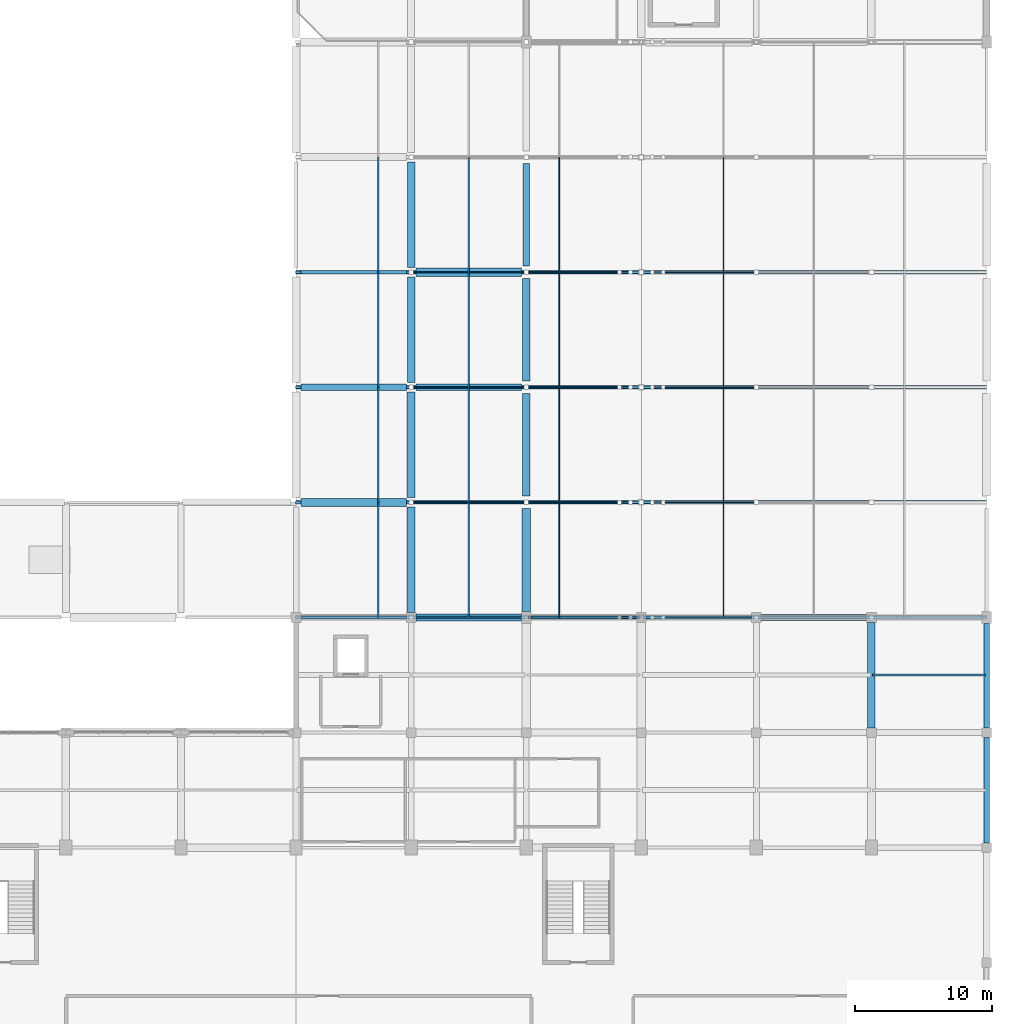
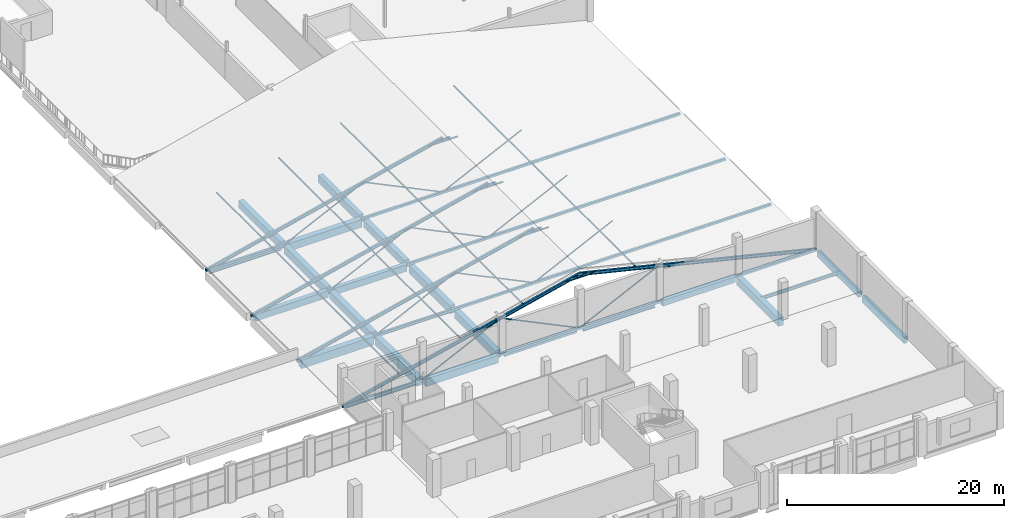
# One storey, part 36 of 64: 45 members, 23 beams.
"""IFC4 building model written with IfcOpenShell, lengths in metres."""

from ifc_helpers import new_model, si_unit, derived_unit, direction, frame, origin, origin_2d, place, context, subcontext, project, spatial, rectangle, hollow_rectangle, hollow_circle, i_section, extrude, material, material_profile, profile_set, type_object, element, save


model = new_model("IFC4")

# Units and contexts
model_context = context("Model", 3, precision=1e-05, world=origin(), true_north=direction((0.0, 1.0)))
body_context = subcontext(model_context, "Body", "Model", "MODEL_VIEW")
ifc_project = project(units=[si_unit("LENGTHUNIT", "METRE"), si_unit("AREAUNIT", "SQUARE_METRE"), si_unit("VOLUMEUNIT", "CUBIC_METRE"), si_unit("PLANEANGLEUNIT", "RADIAN"), si_unit("MASSUNIT", "GRAM", prefix="KILO"), derived_unit("THERMALTRANSMITTANCEUNIT", [(si_unit("POWERUNIT", "WATT"), 1), (si_unit("LENGTHUNIT", "METRE"), -2), (si_unit("THERMODYNAMICTEMPERATUREUNIT", "KELVIN"), -1)])], contexts=[model_context])

# Site, building, storey
site_placement = place(None, origin())
site = spatial("IfcSite", under=ifc_project, at=site_placement, CompositionType="ELEMENT")
building_placement = place(site_placement, origin())
building = spatial("IfcBuilding", under=site, at=building_placement, Name="Barrovel Congress Hotel", CompositionType="ELEMENT")
storey_placement = place(building_placement, frame((0.0, 0.0, 14.10009765625)))
storey = spatial("IfcBuildingStorey", under=building, at=storey_placement, Name="L03", CompositionType="ELEMENT", Elevation=14.10009765625)

# Beams
ifc_material_1 = material(Name="Concrete C40", Category="concrete")
ifc_material_profile_1 = material_profile(ifc_material_1, rectangle(XDim=0.25, YDim=0.5, at=origin_2d()), Name="RC250x500")
ifc_profile_set_1 = profile_set([ifc_material_profile_1], Name="Concrete C40")
beam_type_1 = type_object("IfcBeamType", Name="BM-RC250x500", PredefinedType="SPANDREL", material=ifc_profile_set_1)
beam_1_placement = place(storey_placement, frame((143.14990234375, 37.800048828125, -0.489990234375), z_axis=(1.0, 0.0, 0.0), x_axis=(0.0, 1.0, 0.0)))
element("IfcBeam", 1, at=beam_1_placement, inside=storey, type_object=beam_type_1, Name="BMX:L03:37.8:142.8-151.2", PredefinedType="SPANDREL", context=body_context, shape_type="SweptSolid", body=[
    extrude(rectangle(XDim=0.25, YDim=0.5, at=origin_2d()), origin(), (0.0, 0.0, 1.0), 7.7001953125),
])
ifc_material_profile_2 = material_profile(ifc_material_1, rectangle(XDim=0.39990234375, YDim=0.60009765625, at=origin_2d()), Name="RC400x600")
ifc_profile_set_2 = profile_set([ifc_material_profile_2], Name="Concrete C40")
beam_type_2 = type_object("IfcBeamType", Name="BM-RC400x600", PredefinedType="BEAM", material=ifc_profile_set_2)
beam_2_placement = place(storey_placement, frame((176.39990234375, 29.75, -0.5400390625), z_axis=(0.0, 1.0, 0.0), x_axis=(-1.0, 0.0, 0.0)))
element("IfcBeam", 2, at=beam_2_placement, inside=storey, type_object=beam_type_2, Name="BMY:L03:176.4:29.4-37.8", PredefinedType="BEAM", context=body_context, shape_type="SweptSolid", body=[
    extrude(rectangle(XDim=0.39990234375, YDim=0.60009765625, at=origin_2d()), origin(), (0.0, 0.0, 1.0), 7.60009765625),
])
ifc_material_profile_3 = material_profile(ifc_material_1, rectangle(XDim=0.39990234375, YDim=0.699951171875, at=origin_2d()), Name="RC400x700")
ifc_profile_set_3 = profile_set([ifc_material_profile_3], Name="Concrete C40")
beam_type_3 = type_object("IfcBeamType", Name="BM-RC400x700", PredefinedType="BEAM", material=ifc_profile_set_3)
beam_3_placement = place(storey_placement, frame((176.39990234375, 21.35009765625, -0.590087890625), z_axis=(0.0, 1.0, 0.0), x_axis=(-1.0, 0.0, 0.0)))
element("IfcBeam", 3, at=beam_3_placement, inside=storey, type_object=beam_type_3, Name="BMY:L03:176.4:21.0-29.4", PredefinedType="BEAM", context=body_context, shape_type="SweptSolid", body=[
    extrude(rectangle(XDim=0.39990234375, YDim=0.699951171875, at=origin_2d()), origin(), (0.0, 0.0, 1.0), 7.699951171875),
])
ifc_material_profile_4 = material_profile(ifc_material_1, rectangle(XDim=0.449951171875, YDim=0.64990234375, at=origin_2d()), Name="RC450x650")
ifc_profile_set_4 = profile_set([ifc_material_profile_4], Name="Concrete C40")
beam_type_4 = type_object("IfcBeamType", Name="BM-RC450x650", PredefinedType="BEAM", material=ifc_profile_set_4)
beam_4_placement = place(storey_placement, frame((159.949951171875, 37.800048828125, -0.565185546875), z_axis=(1.0, 0.0, 0.0), x_axis=(0.0, 1.0, 0.0)))
element("IfcBeam", 4, at=beam_4_placement, inside=storey, type_object=beam_type_4, Name="BMX:L03:37.8:159.6-168.0", PredefinedType="BEAM", context=body_context, shape_type="SweptSolid", body=[
    extrude(rectangle(XDim=0.449951171875, YDim=0.64990234375, at=origin_2d()), origin(), (0.0, 0.0, 1.0), 7.699951171875),
])
ifc_material_profile_5 = material_profile(ifc_material_1, rectangle(XDim=0.449951171875, YDim=0.75, at=origin_2d()), Name="RC450x750")
ifc_profile_set_5 = profile_set([ifc_material_profile_5], Name="Concrete C40")
beam_type_5 = type_object("IfcBeamType", Name="BM-RC450x750", PredefinedType="BEAM", material=ifc_profile_set_5)
beam_5_placement = place(storey_placement, frame((134.75, 54.60009765625, -0.614990234375), z_axis=(1.0, 0.0, 0.0), x_axis=(0.0, 1.0, 0.0)))
element("IfcBeam", 5, at=beam_5_placement, inside=storey, type_object=beam_type_5, Name="BMX:L03:54.6:134.4-142.8", PredefinedType="BEAM", context=body_context, shape_type="SweptSolid", body=[
    extrude(rectangle(XDim=0.449951171875, YDim=0.75, at=origin_2d()), origin(), (0.0, 0.0, 1.0), 7.699951171875),
])
ifc_material_profile_6 = material_profile(ifc_material_1, rectangle(XDim=0.5, YDim=0.75, at=origin_2d()), Name="RC500x750")
ifc_profile_set_6 = profile_set([ifc_material_profile_6], Name="Concrete C40")
beam_type_6 = type_object("IfcBeamType", Name="BM-RC500x750", PredefinedType="BEAM", material=ifc_profile_set_6)
beam_6_placement = place(storey_placement, frame((126.35009765625, 54.60009765625, -0.614990234375), z_axis=(1.0, 0.0, 0.0), x_axis=(0.0, 1.0, 0.0)))
element("IfcBeam", 6, at=beam_6_placement, inside=storey, type_object=beam_type_6, Name="BMX:L03:54.6:126.0-134.4", PredefinedType="BEAM", context=body_context, shape_type="SweptSolid", body=[
    extrude(rectangle(XDim=0.5, YDim=0.75, at=origin_2d()), origin(), (0.0, 0.0, 1.0), 7.699951171875),
])
ifc_material_profile_7 = material_profile(ifc_material_1, rectangle(XDim=0.5, YDim=0.85009765625, at=origin_2d()), Name="RC500x850")
ifc_profile_set_7 = profile_set([ifc_material_profile_7], Name="Concrete C40")
beam_type_7 = type_object("IfcBeamType", Name="BM-RC500x850", PredefinedType="BEAM", material=ifc_profile_set_7)
beam_7_placement = place(storey_placement, frame((134.75, 37.800048828125, -0.6650390625), z_axis=(1.0, 0.0, 0.0), x_axis=(0.0, 1.0, 0.0)))
element("IfcBeam", 7, at=beam_7_placement, inside=storey, type_object=beam_type_7, Name="BMX:L03:37.8:134.4-142.8", PredefinedType="BEAM", context=body_context, shape_type="SweptSolid", body=[
    extrude(rectangle(XDim=0.5, YDim=0.85009765625, at=origin_2d()), origin(), (0.0, 0.0, 1.0), 7.699951171875),
])
beam_8_placement = place(storey_placement, frame((142.800048828125, 63.449951171875, -0.6650390625), z_axis=(0.0, 1.0, 0.0), x_axis=(-1.0, 0.0, 0.0)))
element("IfcBeam", 8, at=beam_8_placement, inside=storey, type_object=beam_type_7, Name="BMY:L03:142.8:63.0-71.4", PredefinedType="BEAM", context=body_context, shape_type="SweptSolid", body=[
    extrude(rectangle(XDim=0.5, YDim=0.85009765625, at=origin_2d()), origin(), (0.0, 0.0, 1.0), 7.5),
])
ifc_material_profile_8 = material_profile(ifc_material_1, rectangle(XDim=0.550048828125, YDim=0.800048828125, at=origin_2d()), Name="RC550x800")
ifc_profile_set_8 = profile_set([ifc_material_profile_8], Name="Concrete C40")
beam_type_8 = type_object("IfcBeamType", Name="BM-RC550x800", PredefinedType="BEAM", material=ifc_profile_set_8)
beam_9_placement = place(storey_placement, frame((134.39990234375, 63.35009765625, -0.64013671875), z_axis=(0.0, 1.0, 0.0), x_axis=(-1.0, 0.0, 0.0)))
element("IfcBeam", 9, at=beam_9_placement, inside=storey, type_object=beam_type_8, Name="BMY:L03:134.4:63.0-71.4", PredefinedType="BEAM", context=body_context, shape_type="SweptSolid", body=[
    extrude(rectangle(XDim=0.550048828125, YDim=0.800048828125, at=origin_2d()), origin(), (0.0, 0.0, 1.0), 7.699951171875),
])
beam_10_placement = place(storey_placement, frame((142.800048828125, 55.050048828125, -0.64013671875), z_axis=(0.0, 1.0, 0.0), x_axis=(-1.0, 0.0, 0.0)))
element("IfcBeam", 10, at=beam_10_placement, inside=storey, type_object=beam_type_8, Name="BMY:L03:142.8:54.6-63.0", PredefinedType="BEAM", context=body_context, shape_type="SweptSolid", body=[
    extrude(rectangle(XDim=0.550048828125, YDim=0.800048828125, at=origin_2d()), origin(), (0.0, 0.0, 1.0), 7.5),
])
ifc_material_profile_9 = material_profile(ifc_material_1, rectangle(XDim=0.550048828125, YDim=0.89990234375, at=origin_2d()), Name="RC550x900")
ifc_profile_set_9 = profile_set([ifc_material_profile_9], Name="Concrete C40")
beam_type_9 = type_object("IfcBeamType", Name="BM-RC550x900", PredefinedType="BEAM", material=ifc_profile_set_9)
beam_11_placement = place(storey_placement, frame((134.39990234375, 54.949951171875, -0.690185546875), z_axis=(0.0, 1.0, 0.0), x_axis=(-1.0, 0.0, 0.0)))
element("IfcBeam", 11, at=beam_11_placement, inside=storey, type_object=beam_type_9, Name="BMY:L03:134.4:54.6-63.0", PredefinedType="BEAM", context=body_context, shape_type="SweptSolid", body=[
    extrude(rectangle(XDim=0.550048828125, YDim=0.89990234375, at=origin_2d()), origin(), (0.0, 0.0, 1.0), 7.699951171875),
])
beam_12_placement = place(storey_placement, frame((142.800048828125, 46.64990234375, -0.690185546875), z_axis=(0.0, 1.0, 0.0), x_axis=(-1.0, 0.0, 0.0)))
element("IfcBeam", 12, at=beam_12_placement, inside=storey, type_object=beam_type_9, Name="BMY:L03:142.8:46.2-54.6", PredefinedType="BEAM", context=body_context, shape_type="SweptSolid", body=[
    extrude(rectangle(XDim=0.550048828125, YDim=0.89990234375, at=origin_2d()), origin(), (0.0, 0.0, 1.0), 7.5),
])
beam_13_placement = place(storey_placement, frame((168.0, 29.75, -0.690185546875), z_axis=(0.0, 1.0, 0.0), x_axis=(-1.0, 0.0, 0.0)))
element("IfcBeam", 13, at=beam_13_placement, inside=storey, type_object=beam_type_9, Name="BMY:L03:168.0:29.4-37.8", PredefinedType="BEAM", context=body_context, shape_type="SweptSolid", body=[
    extrude(rectangle(XDim=0.550048828125, YDim=0.89990234375, at=origin_2d()), origin(), (0.0, 0.0, 1.0), 7.699951171875),
])
ifc_material_profile_10 = material_profile(ifc_material_1, rectangle(XDim=0.60009765625, YDim=0.85009765625, at=origin_2d()), Name="RC600x850")
ifc_profile_set_10 = profile_set([ifc_material_profile_10], Name="Concrete C40")
beam_type_10 = type_object("IfcBeamType", Name="BM-RC600x850", PredefinedType="BEAM", material=ifc_profile_set_10)
for number, where, z_axis, x_axis, name in (
    (14, (134.75, 63.0, -0.6650390625), (1.0, 0.0, 0.0), (0.0, 1.0, 0.0), "BMX:L03:63.0:134.4-142.8"),
    (15, (134.39990234375, 46.550048828125, -0.6650390625), (0.0, 1.0, 0.0), (-1.0, 0.0, 0.0), "BMY:L03:134.4:46.2-54.6"),
):
    element("IfcBeam", number, at=place(storey_placement, frame(where, z_axis=z_axis, x_axis=x_axis)), inside=storey, type_object=beam_type_10, Name=name, PredefinedType="BEAM", context=body_context, shape_type="SweptSolid", body=[
        extrude(rectangle(XDim=0.60009765625, YDim=0.85009765625, at=origin_2d()), origin(), (0.0, 0.0, 1.0), 7.699951171875),
    ])
beam_14_placement = place(storey_placement, frame((142.800048828125, 38.25, -0.6650390625), z_axis=(0.0, 1.0, 0.0), x_axis=(-1.0, 0.0, 0.0)))
element("IfcBeam", 16, at=beam_14_placement, inside=storey, type_object=beam_type_10, Name="BMY:L03:142.8:37.8-46.2", PredefinedType="BEAM", context=body_context, shape_type="SweptSolid", body=[
    extrude(rectangle(XDim=0.60009765625, YDim=0.85009765625, at=origin_2d()), origin(), (0.0, 0.0, 1.0), 7.5),
])
ifc_material_profile_11 = material_profile(ifc_material_1, rectangle(XDim=0.60009765625, YDim=0.949951171875, at=origin_2d()), Name="RC600x950")
ifc_profile_set_11 = profile_set([ifc_material_profile_11], Name="Concrete C40")
beam_type_11 = type_object("IfcBeamType", Name="BM-RC600x950", PredefinedType="BEAM", material=ifc_profile_set_11)
beam_15_placement = place(storey_placement, frame((126.35009765625, 46.199951171875, -0.715087890625), z_axis=(1.0, 0.0, 0.0), x_axis=(0.0, 1.0, 0.0)))
element("IfcBeam", 17, at=beam_15_placement, inside=storey, type_object=beam_type_11, Name="BMX:L03:46.2:126.0-134.4", PredefinedType="BEAM", context=body_context, shape_type="SweptSolid", body=[
    extrude(rectangle(XDim=0.60009765625, YDim=0.949951171875, at=origin_2d()), origin(), (0.0, 0.0, 1.0), 7.699951171875),
])
beam_16_placement = place(storey_placement, frame((134.39990234375, 38.14990234375, -0.715087890625), z_axis=(0.0, 1.0, 0.0), x_axis=(-1.0, 0.0, 0.0)))
element("IfcBeam", 18, at=beam_16_placement, inside=storey, type_object=beam_type_11, Name="BMY:L03:134.4:37.8-46.2", PredefinedType="BEAM", context=body_context, shape_type="SweptSolid", body=[
    extrude(rectangle(XDim=0.60009765625, YDim=0.949951171875, at=origin_2d()), origin(), (0.0, 0.0, 1.0), 7.7001953125),
])

# Members
ifc_material_2 = material(Name="Steel ASTM A500 Grade C", Category="steel")
ifc_material_profile_12 = material_profile(ifc_material_2, hollow_circle(Radius=0.070556640625, WallThickness=0.006591796875, at=origin_2d()), Name="CHS141.3x7.1")
ifc_profile_set_12 = profile_set([ifc_material_profile_12], Name="Steel ASTM A500 Grade C")
member_type_1 = type_object("IfcMemberType", Name="MEM-CHS141.3x7.1", PredefinedType="BRACE", material=ifc_profile_set_12)
member_1_placement = place(storey_placement, frame((134.39990234375, 37.800048828125, -0.380126953125), z_axis=(0.900544215842, 0.0, 0.434764436578), x_axis=(0.0, 1.0, 0.0)))
element("IfcMember", 19, at=member_1_placement, inside=storey, type_object=member_type_1, Name="V2-TR-DG:1:134.4-142.8", PredefinedType="BRACE", context=body_context, shape_type="SweptSolid", body=[
    extrude(hollow_circle(Radius=0.070556640625, WallThickness=0.006591796875, at=origin_2d()), origin(), (0.0, 0.0, 1.0), 9.327880859375),
])
member_2_placement = place(storey_placement, frame((151.199951171875, 37.800048828125, -0.380126953125), z_axis=(-0.90053926839, 0.0, 0.434774684277), x_axis=(0.0, -1.0, 0.0)))
element("IfcMember", 20, at=member_2_placement, inside=storey, type_object=member_type_1, Name="V2-TR-DG:1:151.2-142.8", PredefinedType="BRACE", context=body_context, shape_type="SweptSolid", body=[
    extrude(hollow_circle(Radius=0.070556640625, WallThickness=0.006591796875, at=origin_2d()), origin(), (0.0, 0.0, 1.0), 9.32763671875),
])
for number, where, z_axis, x_axis, name in (
    (21, (151.199951171875, 37.800048828125, -0.380126953125), (0.900544215842, 0.0, 0.434764436578), (0.0, 1.0, 0.0), "V2-TR-DG:1:151.2-159.6"),
    (22, (134.39990234375, 46.199951171875, -0.380126953125), (0.900544215842, 0.0, 0.434764436578), (0.0, 1.0, 0.0), "V2-TR-DG:2:134.4-142.8"),
):
    element("IfcMember", number, at=place(storey_placement, frame(where, z_axis=z_axis, x_axis=x_axis)), inside=storey, type_object=member_type_1, Name=name, PredefinedType="BRACE", context=body_context, shape_type="SweptSolid", body=[
        extrude(hollow_circle(Radius=0.070556640625, WallThickness=0.006591796875, at=origin_2d()), origin(), (0.0, 0.0, 1.0), 9.327880859375),
    ])
member_3_placement = place(storey_placement, frame((151.199951171875, 46.199951171875, -0.380126953125), z_axis=(-0.90053926839, 0.0, 0.434774684277), x_axis=(0.0, -1.0, 0.0)))
element("IfcMember", 23, at=member_3_placement, inside=storey, type_object=member_type_1, Name="V2-TR-DG:2:151.2-142.8", PredefinedType="BRACE", context=body_context, shape_type="SweptSolid", body=[
    extrude(hollow_circle(Radius=0.070556640625, WallThickness=0.006591796875, at=origin_2d()), origin(), (0.0, 0.0, 1.0), 9.32763671875),
])
for number, where, z_axis, x_axis, name in (
    (24, (151.199951171875, 46.199951171875, -0.380126953125), (0.900544215842, 0.0, 0.434764436578), (0.0, 1.0, 0.0), "V2-TR-DG:2:151.2-159.6"),
    (25, (134.39990234375, 54.60009765625, -0.380126953125), (0.900544215842, 0.0, 0.434764436578), (0.0, 1.0, 0.0), "V2-TR-DG:3:134.4-142.8"),
):
    element("IfcMember", number, at=place(storey_placement, frame(where, z_axis=z_axis, x_axis=x_axis)), inside=storey, type_object=member_type_1, Name=name, PredefinedType="BRACE", context=body_context, shape_type="SweptSolid", body=[
        extrude(hollow_circle(Radius=0.070556640625, WallThickness=0.006591796875, at=origin_2d()), origin(), (0.0, 0.0, 1.0), 9.327880859375),
    ])
member_4_placement = place(storey_placement, frame((151.199951171875, 54.60009765625, -0.380126953125), z_axis=(-0.90053926839, 0.0, 0.434774684277), x_axis=(0.0, -1.0, 0.0)))
element("IfcMember", 26, at=member_4_placement, inside=storey, type_object=member_type_1, Name="V2-TR-DG:3:151.2-142.8", PredefinedType="BRACE", context=body_context, shape_type="SweptSolid", body=[
    extrude(hollow_circle(Radius=0.070556640625, WallThickness=0.006591796875, at=origin_2d()), origin(), (0.0, 0.0, 1.0), 9.32763671875),
])
for number, where, z_axis, x_axis, name in (
    (27, (151.199951171875, 54.60009765625, -0.380126953125), (0.900544215842, 0.0, 0.434764436578), (0.0, 1.0, 0.0), "V2-TR-DG:3:151.2-159.6"),
    (28, (134.39990234375, 63.0, -0.380126953125), (0.900544215842, 0.0, 0.434764436578), (0.0, 1.0, 0.0), "V2-TR-DG:4:134.4-142.8"),
):
    element("IfcMember", number, at=place(storey_placement, frame(where, z_axis=z_axis, x_axis=x_axis)), inside=storey, type_object=member_type_1, Name=name, PredefinedType="BRACE", context=body_context, shape_type="SweptSolid", body=[
        extrude(hollow_circle(Radius=0.070556640625, WallThickness=0.006591796875, at=origin_2d()), origin(), (0.0, 0.0, 1.0), 9.327880859375),
    ])
member_5_placement = place(storey_placement, frame((151.199951171875, 63.0, -0.380126953125), z_axis=(-0.90053926839, 0.0, 0.434774684277), x_axis=(0.0, -1.0, 0.0)))
element("IfcMember", 29, at=member_5_placement, inside=storey, type_object=member_type_1, Name="V2-TR-DG:4:151.2-142.8", PredefinedType="BRACE", context=body_context, shape_type="SweptSolid", body=[
    extrude(hollow_circle(Radius=0.070556640625, WallThickness=0.006591796875, at=origin_2d()), origin(), (0.0, 0.0, 1.0), 9.32763671875),
])
member_6_placement = place(storey_placement, frame((151.199951171875, 63.0, -0.380126953125), z_axis=(0.900544215842, 0.0, 0.434764436578), x_axis=(0.0, 1.0, 0.0)))
element("IfcMember", 30, at=member_6_placement, inside=storey, type_object=member_type_1, Name="V2-TR-DG:4:151.2-159.6", PredefinedType="BRACE", context=body_context, shape_type="SweptSolid", body=[
    extrude(hollow_circle(Radius=0.070556640625, WallThickness=0.006591796875, at=origin_2d()), origin(), (0.0, 0.0, 1.0), 9.327880859375),
])
ifc_material_profile_13 = material_profile(ifc_material_2, hollow_rectangle(XDim=0.126953125, YDim=0.126953125, WallThickness=0.005859375, InnerFilletRadius=0.005859375, OuterFilletRadius=0.01171875, at=origin_2d()), Name="HSS127x127x6.4")
ifc_profile_set_13 = profile_set([ifc_material_profile_13], Name="Steel ASTM A500 Grade C")
member_type_2 = type_object("IfcMemberType", Name="MEM-HSS127x127x6.4", PredefinedType="STRUT", material=ifc_profile_set_13)
for number, where, z_axis, x_axis, name in (
    (31, (149.60009765625, 37.800048828125, 5.31689453125), (1.0, 0.0, 0.0), (0.0, 1.0, 0.0), "V2-TR-STRUT:1"),
    (32, (149.60009765625, 46.199951171875, 5.31689453125), (1.0, 0.0, 0.0), (0.0, 1.0, 0.0), "V2-TR-STRUT:2"),
    (33, (149.60009765625, 54.60009765625, 5.31689453125), (1.0, 0.0, 0.0), (0.0, 1.0, 0.0), "V2-TR-STRUT:3"),
    (34, (149.60009765625, 63.0, 5.31689453125), (1.0, 0.0, 0.0), (0.0, 1.0, 0.0), "V2-TR-STRUT:4"),
):
    element("IfcMember", number, at=place(storey_placement, frame(where, z_axis=z_axis, x_axis=x_axis)), inside=storey, type_object=member_type_2, Name=name, PredefinedType="STRUT", context=body_context, shape_type="SweptSolid", body=[
        extrude(hollow_rectangle(XDim=0.126953125, YDim=0.126953125, WallThickness=0.005859375, InnerFilletRadius=0.005859375, OuterFilletRadius=0.01171875, at=origin_2d()), origin(), (0.0, 0.0, 1.0), 3.199951171875),
    ])
ifc_material_profile_14 = material_profile(ifc_material_2, hollow_rectangle(XDim=0.1015625, YDim=0.15234375, WallThickness=0.005859375, InnerFilletRadius=0.005859375, OuterFilletRadius=0.01171875, at=origin_2d()), Name="HSS152x102x6.4")
ifc_profile_set_14 = profile_set([ifc_material_profile_14], Name="Steel ASTM A500 Grade C")
member_type_3 = type_object("IfcMemberType", Name="MEM-HSS152x102x6.4", PredefinedType="PURLIN", material=ifc_profile_set_14)
member_7_placement = place(storey_placement, frame((132.0, 37.800048828125, 1.208251953125), z_axis=(0.0, 1.0, 0.0), x_axis=(-1.0, 0.0, 0.0)))
element("IfcMember", 35, at=member_7_placement, inside=storey, type_object=member_type_3, Name="V2-PUR:132.0:37.8", PredefinedType="PURLIN", context=body_context, shape_type="SweptSolid", body=[
    extrude(hollow_rectangle(XDim=0.1015625, YDim=0.15234375, WallThickness=0.005859375, InnerFilletRadius=0.005859375, OuterFilletRadius=0.01171875, at=origin_2d()), origin(), (0.0, 0.0, 1.0), 8.39990234375),
])
member_8_placement = place(storey_placement, frame((132.0, 46.199951171875, 1.208251953125), z_axis=(0.0, 1.0, 0.0), x_axis=(-1.0, 0.0, 0.0)))
element("IfcMember", 36, at=member_8_placement, inside=storey, type_object=member_type_3, Name="V2-PUR:132.0:46.2", PredefinedType="PURLIN", context=body_context, shape_type="SweptSolid", body=[
    extrude(hollow_rectangle(XDim=0.1015625, YDim=0.15234375, WallThickness=0.005859375, InnerFilletRadius=0.005859375, OuterFilletRadius=0.01171875, at=origin_2d()), origin(), (0.0, 0.0, 1.0), 8.400146484375),
])
for number, where, z_axis, x_axis, name in (
    (37, (132.0, 54.60009765625, 1.208251953125), (0.0, 1.0, 0.0), (-1.0, 0.0, 0.0), "V2-PUR:132.0:54.6"),
    (38, (132.0, 63.0, 1.208251953125), (0.0, 1.0, 0.0), (-1.0, 0.0, 0.0), "V2-PUR:132.0:63.0"),
    (39, (138.60009765625, 37.800048828125, 2.801513671875), (0.0, 1.0, 0.0), (-1.0, 0.0, 0.0), "V2-PUR:138.6:37.8"),
):
    element("IfcMember", number, at=place(storey_placement, frame(where, z_axis=z_axis, x_axis=x_axis)), inside=storey, type_object=member_type_3, Name=name, PredefinedType="PURLIN", context=body_context, shape_type="SweptSolid", body=[
        extrude(hollow_rectangle(XDim=0.1015625, YDim=0.15234375, WallThickness=0.005859375, InnerFilletRadius=0.005859375, OuterFilletRadius=0.01171875, at=origin_2d()), origin(), (0.0, 0.0, 1.0), 8.39990234375),
    ])
member_9_placement = place(storey_placement, frame((138.60009765625, 46.199951171875, 2.801513671875), z_axis=(0.0, 1.0, 0.0), x_axis=(-1.0, 0.0, 0.0)))
element("IfcMember", 40, at=member_9_placement, inside=storey, type_object=member_type_3, Name="V2-PUR:138.6:46.2", PredefinedType="PURLIN", context=body_context, shape_type="SweptSolid", body=[
    extrude(hollow_rectangle(XDim=0.1015625, YDim=0.15234375, WallThickness=0.005859375, InnerFilletRadius=0.005859375, OuterFilletRadius=0.01171875, at=origin_2d()), origin(), (0.0, 0.0, 1.0), 8.400146484375),
])
for number, where, z_axis, x_axis, name in (
    (41, (138.60009765625, 54.60009765625, 2.801513671875), (0.0, 1.0, 0.0), (-1.0, 0.0, 0.0), "V2-PUR:138.6:54.6"),
    (42, (138.60009765625, 63.0, 2.801513671875), (0.0, 1.0, 0.0), (-1.0, 0.0, 0.0), "V2-PUR:138.6:63.0"),
    (43, (145.199951171875, 37.800048828125, 4.39453125), (0.0, 1.0, 0.0), (-1.0, 0.0, 0.0), "V2-PUR:145.2:37.8"),
):
    element("IfcMember", number, at=place(storey_placement, frame(where, z_axis=z_axis, x_axis=x_axis)), inside=storey, type_object=member_type_3, Name=name, PredefinedType="PURLIN", context=body_context, shape_type="SweptSolid", body=[
        extrude(hollow_rectangle(XDim=0.1015625, YDim=0.15234375, WallThickness=0.005859375, InnerFilletRadius=0.005859375, OuterFilletRadius=0.01171875, at=origin_2d()), origin(), (0.0, 0.0, 1.0), 8.39990234375),
    ])
member_10_placement = place(storey_placement, frame((145.199951171875, 46.199951171875, 4.39453125), z_axis=(0.0, 1.0, 0.0), x_axis=(-1.0, 0.0, 0.0)))
element("IfcMember", 44, at=member_10_placement, inside=storey, type_object=member_type_3, Name="V2-PUR:145.2:46.2", PredefinedType="PURLIN", context=body_context, shape_type="SweptSolid", body=[
    extrude(hollow_rectangle(XDim=0.1015625, YDim=0.15234375, WallThickness=0.005859375, InnerFilletRadius=0.005859375, OuterFilletRadius=0.01171875, at=origin_2d()), origin(), (0.0, 0.0, 1.0), 8.400146484375),
])
for number, where, z_axis, x_axis, name in (
    (45, (145.199951171875, 54.60009765625, 4.39453125), (0.0, 1.0, 0.0), (-1.0, 0.0, 0.0), "V2-PUR:145.2:54.6"),
    (46, (145.199951171875, 63.0, 4.39453125), (0.0, 1.0, 0.0), (-1.0, 0.0, 0.0), "V2-PUR:145.2:63.0"),
    (47, (157.199951171875, 37.800048828125, 4.39453125), (0.0, 1.0, 0.0), (-1.0, 0.0, 0.0), "V2-PUR:157.2:37.8"),
):
    element("IfcMember", number, at=place(storey_placement, frame(where, z_axis=z_axis, x_axis=x_axis)), inside=storey, type_object=member_type_3, Name=name, PredefinedType="PURLIN", context=body_context, shape_type="SweptSolid", body=[
        extrude(hollow_rectangle(XDim=0.1015625, YDim=0.15234375, WallThickness=0.005859375, InnerFilletRadius=0.005859375, OuterFilletRadius=0.01171875, at=origin_2d()), origin(), (0.0, 0.0, 1.0), 8.39990234375),
    ])
member_11_placement = place(storey_placement, frame((157.199951171875, 46.199951171875, 4.39453125), z_axis=(0.0, 1.0, 0.0), x_axis=(-1.0, 0.0, 0.0)))
element("IfcMember", 48, at=member_11_placement, inside=storey, type_object=member_type_3, Name="V2-PUR:157.2:46.2", PredefinedType="PURLIN", context=body_context, shape_type="SweptSolid", body=[
    extrude(hollow_rectangle(XDim=0.1015625, YDim=0.15234375, WallThickness=0.005859375, InnerFilletRadius=0.005859375, OuterFilletRadius=0.01171875, at=origin_2d()), origin(), (0.0, 0.0, 1.0), 8.400146484375),
])
for number, where, z_axis, x_axis, name in (
    (49, (157.199951171875, 54.60009765625, 4.39453125), (0.0, 1.0, 0.0), (-1.0, 0.0, 0.0), "V2-PUR:157.2:54.6"),
    (50, (157.199951171875, 63.0, 4.39453125), (0.0, 1.0, 0.0), (-1.0, 0.0, 0.0), "V2-PUR:157.2:63.0"),
):
    element("IfcMember", number, at=place(storey_placement, frame(where, z_axis=z_axis, x_axis=x_axis)), inside=storey, type_object=member_type_3, Name=name, PredefinedType="PURLIN", context=body_context, shape_type="SweptSolid", body=[
        extrude(hollow_rectangle(XDim=0.1015625, YDim=0.15234375, WallThickness=0.005859375, InnerFilletRadius=0.005859375, OuterFilletRadius=0.01171875, at=origin_2d()), origin(), (0.0, 0.0, 1.0), 8.39990234375),
    ])
ifc_material_profile_15 = material_profile(ifc_material_2, hollow_rectangle(XDim=0.203125, YDim=0.203125, WallThickness=0.0087890625, InnerFilletRadius=0.0087890625, OuterFilletRadius=0.017578125, at=origin_2d()), Name="HSS203x203x9.5")
ifc_profile_set_15 = profile_set([ifc_material_profile_15], Name="Steel ASTM A500 Grade C")
member_type_4 = type_object("IfcMemberType", Name="MEM-HSS203x203x9.5", PredefinedType="POST", material=ifc_profile_set_15)
for number, where, z_axis, x_axis, name in (
    (51, (150.39990234375, 37.800048828125, 5.510009765625), (1.0, 0.0, 0.0), (0.0, 1.0, 0.0), "V2-TR-POST:1"),
    (52, (150.39990234375, 46.199951171875, 5.510009765625), (1.0, 0.0, 0.0), (0.0, 1.0, 0.0), "V2-TR-POST:2"),
    (53, (150.39990234375, 54.60009765625, 5.510009765625), (1.0, 0.0, 0.0), (0.0, 1.0, 0.0), "V2-TR-POST:3"),
    (54, (150.39990234375, 63.0, 5.510009765625), (1.0, 0.0, 0.0), (0.0, 1.0, 0.0), "V2-TR-POST:4"),
):
    element("IfcMember", number, at=place(storey_placement, frame(where, z_axis=z_axis, x_axis=x_axis)), inside=storey, type_object=member_type_4, Name=name, PredefinedType="POST", context=body_context, shape_type="SweptSolid", body=[
        extrude(hollow_rectangle(XDim=0.203125, YDim=0.203125, WallThickness=0.0087890625, InnerFilletRadius=0.0087890625, OuterFilletRadius=0.017578125, at=origin_2d()), origin(), (0.0, 0.0, 1.0), 1.60009765625),
    ])
ifc_material_profile_16 = material_profile(ifc_material_2, hollow_rectangle(XDim=0.25390625, YDim=0.25390625, WallThickness=0.0087890625, InnerFilletRadius=0.0087890625, OuterFilletRadius=0.017578125, at=origin_2d()), Name="HSS254x254x9.5")
ifc_profile_set_16 = profile_set([ifc_material_profile_16], Name="Steel ASTM A500 Grade C")
member_type_5 = type_object("IfcMemberType", Name="MEM-HSS254x254x9.5", PredefinedType="CHORD", material=ifc_profile_set_16)
for number, where, z_axis, x_axis, name in (
    (55, (126.0, 37.800048828125, -0.380126953125), (1.0, 0.0, 0.0), (0.0, 1.0, 0.0), "Ballroom Roof Truss Bottom Chord 1"),
    (56, (126.0, 46.199951171875, -0.380126953125), (1.0, 0.0, 0.0), (0.0, 1.0, 0.0), "Ballroom Roof Truss Bottom Chord 2"),
    (57, (126.0, 54.60009765625, -0.380126953125), (1.0, 0.0, 0.0), (0.0, 1.0, 0.0), "Ballroom Roof Truss Bottom Chord 3"),
    (58, (126.0, 63.0, -0.380126953125), (1.0, 0.0, 0.0), (0.0, 1.0, 0.0), "Ballroom Roof Truss Bottom Chord 4"),
):
    element("IfcMember", number, at=place(storey_placement, frame(where, z_axis=z_axis, x_axis=x_axis)), inside=storey, type_object=member_type_5, Name=name, PredefinedType="CHORD", context=body_context, shape_type="SweptSolid", body=[
        extrude(hollow_rectangle(XDim=0.25390625, YDim=0.25390625, WallThickness=0.0087890625, InnerFilletRadius=0.0087890625, OuterFilletRadius=0.017578125, at=origin_2d()), origin(), (0.0, 0.0, 1.0), 50.39990234375),
    ])
ifc_material_3 = material(Name="Steel ASTM A992 Grade 50", Category="steel")
ifc_material_profile_17 = material_profile(ifc_material_3, i_section(OverallWidth=0.205078125, OverallDepth=0.35400390625, WebThickness=0.009521484375, FlangeThickness=0.016845703125, FilletRadius=0.012939453125, at=origin_2d()), Name="W360x79")
ifc_profile_set_17 = profile_set([ifc_material_profile_17], Name="Steel ASTM A992 Grade 50")
member_type_6 = type_object("IfcMemberType", Name="MEM-W360x79", PredefinedType="RAFTER", material=ifc_profile_set_17)
for number, where, z_axis, x_axis, name in (
    (59, (126.0, 37.800048828125, -0.380126953125), (0.972079912314, 0.0, 0.234650045972), (0.0, 1.0, 0.0), "Ballroom Roof Truss Rafter W 1"),
    (60, (151.199951171875, 37.800048828125, 5.702880859375), (0.972079912314, 0.0, -0.234650045972), (0.0, 1.0, 0.0), "Ballroom Roof Truss Rafter E 1"),
    (61, (126.0, 46.199951171875, -0.380126953125), (0.972079912314, 0.0, 0.234650045972), (0.0, 1.0, 0.0), "Ballroom Roof Truss Rafter W 2"),
    (62, (126.0, 54.60009765625, -0.380126953125), (0.972079912314, 0.0, 0.234650045972), (0.0, 1.0, 0.0), "Ballroom Roof Truss Rafter W 3"),
    (63, (126.0, 63.0, -0.380126953125), (0.972079912314, 0.0, 0.234650045972), (0.0, 1.0, 0.0), "Ballroom Roof Truss Rafter W 4"),
):
    element("IfcMember", number, at=place(storey_placement, frame(where, z_axis=z_axis, x_axis=x_axis)), inside=storey, type_object=member_type_6, Name=name, PredefinedType="RAFTER", context=body_context, shape_type="SweptSolid", body=[
        extrude(i_section(OverallWidth=0.205078125, OverallDepth=0.35400390625, WebThickness=0.009521484375, FlangeThickness=0.016845703125, FilletRadius=0.012939453125, at=origin_2d()), origin(), (0.0, 0.0, 1.0), 25.923828125),
    ])

# Beams
ifc_material_profile_18 = material_profile(ifc_material_3, i_section(OverallWidth=0.1708984375, OverallDepth=0.35205078125, WebThickness=0.0068359375, FlangeThickness=0.009765625, FilletRadius=0.011962890625, at=origin_2d()), Name="W360x44")
ifc_profile_set_18 = profile_set([ifc_material_profile_18], Name="Steel ASTM A992 Grade 50")
beam_type_12 = type_object("IfcBeamType", Name="SBM-W360x44", PredefinedType="JOIST", material=ifc_profile_set_18)
beam_17_placement = place(storey_placement, frame((168.080078125, 33.60009765625, -0.416015625), z_axis=(1.0, 0.0, 0.0), x_axis=(0.0, 1.0, 0.0)))
element("IfcBeam", 64, at=beam_17_placement, inside=storey, type_object=beam_type_12, Name="JST:L03:168.0:33.6", PredefinedType="JOIST", context=body_context, shape_type="SweptSolid", body=[
    extrude(i_section(OverallWidth=0.1708984375, OverallDepth=0.35205078125, WebThickness=0.0068359375, FlangeThickness=0.009765625, FilletRadius=0.011962890625, at=origin_2d()), origin(), (0.0, 0.0, 1.0), 8.239990234375),
])
ifc_material_profile_19 = material_profile(ifc_material_3, i_section(OverallWidth=0.205078125, OverallDepth=0.35400390625, WebThickness=0.009521484375, FlangeThickness=0.016845703125, FilletRadius=0.012939453125, at=origin_2d()), Name="W360x79")
ifc_profile_set_19 = profile_set([ifc_material_profile_19], Name="Steel ASTM A992 Grade 50")
beam_type_13 = type_object("IfcBeamType", Name="SBM-W360x79", PredefinedType="BEAM", material=ifc_profile_set_19)
beam_18_placement = place(storey_placement, frame((134.75, 46.199951171875, -0.4169921875), z_axis=(1.0, 0.0, 0.0), x_axis=(0.0, 1.0, 0.0)))
element("IfcBeam", 65, at=beam_18_placement, inside=storey, type_object=beam_type_13, Name="BMX:L03:46.2:134.4-142.8", PredefinedType="BEAM", context=body_context, shape_type="SweptSolid", body=[
    extrude(i_section(OverallWidth=0.205078125, OverallDepth=0.35400390625, WebThickness=0.009521484375, FlangeThickness=0.016845703125, FilletRadius=0.012939453125, at=origin_2d()), origin(), (0.0, 0.0, 1.0), 7.699951171875),
])
ifc_material_profile_20 = material_profile(ifc_material_3, i_section(OverallWidth=0.154052734375, OverallDepth=0.458984375, WebThickness=0.009033203125, FlangeThickness=0.015380859375, FilletRadius=0.012939453125, at=origin_2d()), Name="W460x68")
ifc_profile_set_20 = profile_set([ifc_material_profile_20], Name="Steel ASTM A992 Grade 50")
beam_type_14 = type_object("IfcBeamType", Name="SBM-W460x68", PredefinedType="BEAM", material=ifc_profile_set_20)
beam_19_placement = place(storey_placement, frame((126.35009765625, 37.800048828125, -0.469482421875), z_axis=(1.0, 0.0, 0.0), x_axis=(0.0, 1.0, 0.0)))
element("IfcBeam", 66, at=beam_19_placement, inside=storey, type_object=beam_type_14, Name="BMX:L03:37.8:126.0-134.4", PredefinedType="BEAM", context=body_context, shape_type="SweptSolid", body=[
    extrude(i_section(OverallWidth=0.154052734375, OverallDepth=0.458984375, WebThickness=0.009033203125, FlangeThickness=0.015380859375, FilletRadius=0.012939453125, at=origin_2d()), origin(), (0.0, 0.0, 1.0), 7.699951171875),
])
ifc_material_profile_21 = material_profile(ifc_material_3, i_section(OverallWidth=0.22802734375, OverallDepth=0.60302734375, WebThickness=0.010498046875, FlangeThickness=0.014892578125, FilletRadius=0.014892578125, at=origin_2d()), Name="W610x101")
ifc_profile_set_21 = profile_set([ifc_material_profile_21], Name="Steel ASTM A992 Grade 50")
beam_type_15 = type_object("IfcBeamType", Name="SBM-W610x101", PredefinedType="BEAM", material=ifc_profile_set_21)
for number, where, z_axis, x_axis, name in (
    (67, (151.550048828125, 37.800048828125, -0.54150390625), (1.0, 0.0, 0.0), (0.0, 1.0, 0.0), "BMX:L03:37.8:151.2-159.6"),
    (68, (126.35009765625, 63.0, -0.54150390625), (1.0, 0.0, 0.0), (0.0, 1.0, 0.0), "BMX:L03:63.0:126.0-134.4"),
):
    element("IfcBeam", number, at=place(storey_placement, frame(where, z_axis=z_axis, x_axis=x_axis)), inside=storey, type_object=beam_type_15, Name=name, PredefinedType="BEAM", context=body_context, shape_type="SweptSolid", body=[
        extrude(i_section(OverallWidth=0.22802734375, OverallDepth=0.60302734375, WebThickness=0.010498046875, FlangeThickness=0.014892578125, FilletRadius=0.014892578125, at=origin_2d()), origin(), (0.0, 0.0, 1.0), 7.699951171875),
    ])

save(model, "model.ifc")
